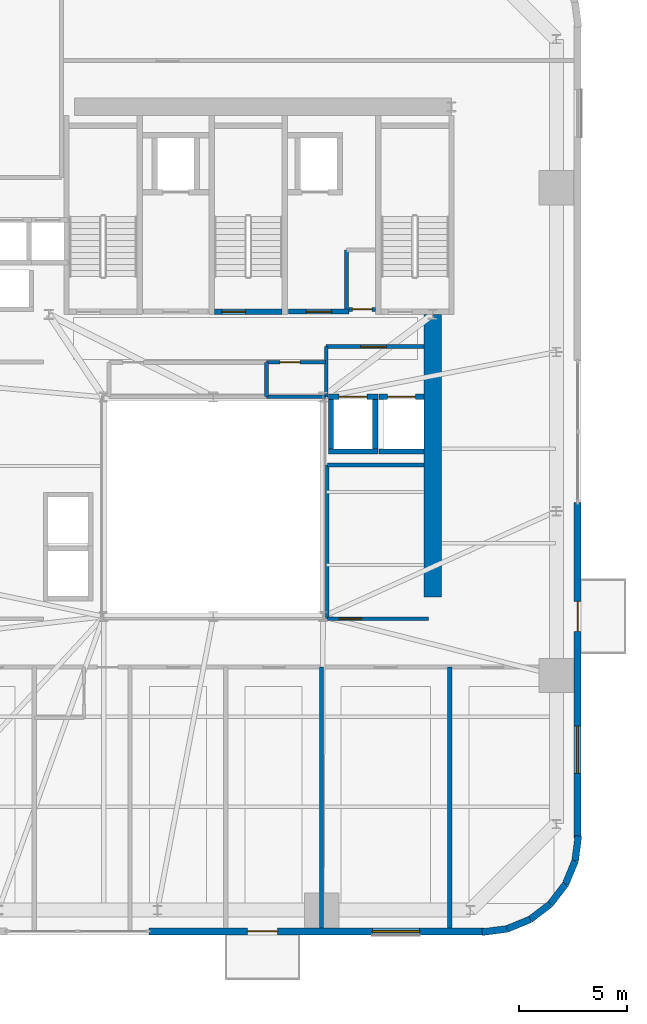
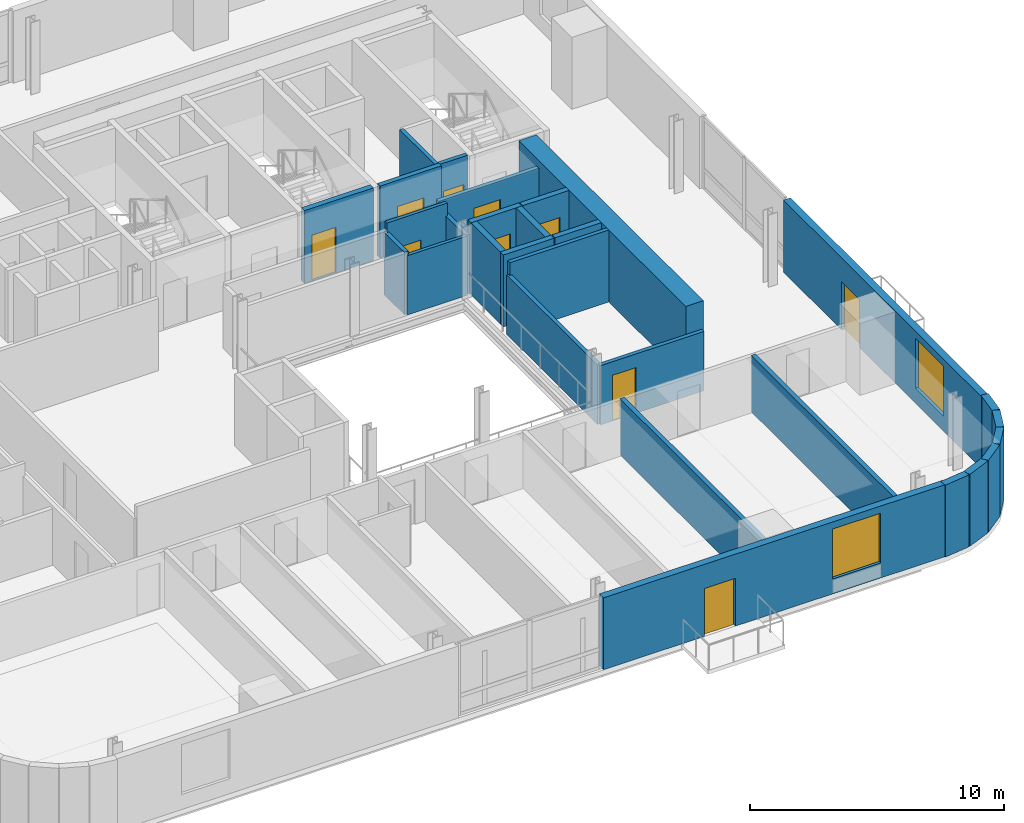
# One storey, part 7 of 14: 29 walls, 10 doors, 2 windows, 12 openings.
"""IFC4 building model written with IfcOpenShell, lengths in metres."""

from ifc_helpers import new_model, si_unit, direction, frame, frame_2d, origin, place, context, subcontext, project, spatial, rectangle, extrude, source, transform, mapped, material, layer, layer_set, type_object, element, fill, save


model = new_model("IFC4")

# Units and contexts
model_context = context("Model", 3, precision=1e-05, world=origin(), true_north=direction((0.0, 1.0)))
body_context = subcontext(model_context, "Body", "Model", "MODEL_VIEW")
ifc_project = project(units=[si_unit("LENGTHUNIT", "METRE"), si_unit("AREAUNIT", "SQUARE_METRE"), si_unit("VOLUMEUNIT", "CUBIC_METRE"), si_unit("PLANEANGLEUNIT", "RADIAN"), si_unit("MASSUNIT", "GRAM", prefix="KILO")], contexts=[model_context])

# Site, building, storey
site_placement = place(None, origin())
site = spatial("IfcSite", under=ifc_project, at=site_placement, CompositionType="ELEMENT")
building_placement = place(site_placement, origin())
building = spatial("IfcBuilding", under=site, at=building_placement, Name="Vardaveli Station Tower", CompositionType="ELEMENT")
storey_placement = place(building_placement, frame((0.0, 0.0, 129.800048828125)))
storey = spatial("IfcBuildingStorey", under=building, at=storey_placement, Name="L33", CompositionType="ELEMENT", Elevation=129.800048828125)

# Wall
ifc_material_1 = material(Name="Concrete C50/60", Category="concrete")
ifc_layer_1 = layer(ifc_material_1, 0.800048828125, Name="Concrete C50/60")
ifc_layer_set_1 = layer_set([ifc_layer_1], Name="Concrete C50/60")
wall_type_1 = type_object("IfcWallType", Name="WAL-CORE-800", PredefinedType="SHEAR", material=ifc_layer_set_1)
shared_shape_1 = source(origin(), body_context, "Body", "SweptSolid", [
    extrude(rectangle(XDim=13.14990234375, YDim=0.800048828125, at=frame_2d((6.574951171875, 0.0))), origin(), (0.0, 0.0, 1.0), 3.4599609375),
])
wall_1_placement = place(storey_placement, frame((46.5, 17.5, 0.0), z_axis=(0.0, 0.0, 1.0), x_axis=(0.0, 1.0, 0.0)))
element("IfcWall", 1, at=wall_1_placement, inside=storey, type_object=wall_type_1, Name="SW-L33-EAST2", PredefinedType="SHEAR", context=body_context, shape_type="MappedRepresentation", body=[
    mapped(shared_shape_1, transform((0.0, 0.0, 0.0), scale=1.0)),
])

# Wall, openings, door, window
ifc_material_2 = material(Name="Precast concrete C45/55", Category="concrete")
ifc_layer_2 = layer(ifc_material_2, 0.320068359375, Name="Precast concrete C45/55")
ifc_layer_set_2 = layer_set([ifc_layer_2], Name="Precast concrete C45/55")
wall_type_2 = type_object("IfcWallType", Name="WAL-EXT-STONE-320", PredefinedType="SOLIDWALL", material=ifc_layer_set_2)
shared_shape_2 = source(origin(), body_context, "Body", "SweptSolid", [
    extrude(rectangle(XDim=15.599853515625, YDim=0.320068359375, at=frame_2d((7.7998046875, 0.0))), origin(), (0.0, 0.0, 1.0), 3.4599609375),
])
wall_2_placement = place(storey_placement, frame((33.300048828125, 1.9599609375, 0.0), z_axis=(0.0, 0.0, 1.0), x_axis=(1.0, 0.0, 0.0)))
wall_2 = element("IfcWall", 2, at=wall_2_placement, inside=storey, type_object=wall_type_2, Name="EW-L33-S2", PredefinedType="SOLIDWALL", context=body_context, shape_type="MappedRepresentation", body=[
    mapped(shared_shape_2, transform((0.0, 0.0, 0.0), scale=1.0)),
])
shared_shape_3 = source(origin(), body_context, "Body", "SweptSolid", [
    extrude(rectangle(XDim=1.39990234375, YDim=2.300048828125, at=frame_2d((0.699951171875, 1.14990234375))), frame((0.0, 0.169921875, 0.0), z_axis=(0.0, -1.0, 0.0), x_axis=(1.0, 0.0, 0.0)), (0.0, 0.0, 1.0), 0.340087890625),
])
opening_1_placement = place(wall_2_placement, frame((4.589599609375, 0.0, 0.0)))
opening_1 = element("IfcOpeningElement", 3, at=opening_1_placement, cuts=wall_2, Name="Opening D-09", PredefinedType="OPENING", context=body_context, shape_type="MappedRepresentation", body=[
    mapped(shared_shape_3, transform((0.0, 0.0, 0.0), scale=1.0)),
])
shared_shape_4 = source(origin(), body_context, "Body", "SweptSolid", [
    extrude(rectangle(XDim=2.199951171875, YDim=2.39990234375, at=frame_2d((1.10009765625, 1.199951171875))), frame((0.0, 0.169921875, 0.0), z_axis=(0.0, -1.0, 0.0), x_axis=(1.0, 0.0, 0.0)), (0.0, 0.0, 1.0), 0.340087890625),
])
opening_2_placement = place(wall_2_placement, frame((10.39501953125, 0.0, 0.719970703125)))
opening_2 = element("IfcOpeningElement", 4, at=opening_2_placement, cuts=wall_2, Name="Opening W-03", PredefinedType="OPENING", context=body_context, shape_type="MappedRepresentation", body=[
    mapped(shared_shape_4, transform((0.0, 0.0, 0.0), scale=1.0)),
])
ifc_material_3 = material(Name="Thermally broken aluminium glass", Category="aluminium")
door_type_1 = type_object("IfcDoorType", Name="DR-LOG-1400x2300", OperationType="DOUBLE_DOOR_SLIDING", PredefinedType="DOOR", material=ifc_material_3)
shared_shape_5 = source(origin(), body_context, "Body", "SweptSolid", [
    extrude(rectangle(XDim=1.39990234375, YDim=2.300048828125, at=frame_2d((0.699951171875, 1.14990234375))), frame((0.0, 0.02490234375, 0.0), z_axis=(0.0, -1.0, 0.0), x_axis=(1.0, 0.0, 0.0)), (0.0, 0.0, 1.0), 0.050048828125),
])
door_1_placement = place(opening_1_placement, frame((1.39990234375, 0.0, 0.0), z_axis=(0.0, 0.0, 1.0), x_axis=(-1.0, 0.0, 0.0)))
door_1 = element("IfcDoor", 5, at=door_1_placement, inside=storey, type_object=door_type_1, Name="DLG-L33-S", OperationType="DOUBLE_DOOR_SLIDING", OverallHeight=2.300048828125, OverallWidth=1.39990234375, PredefinedType="DOOR", context=body_context, shape_type="MappedRepresentation", body=[
    mapped(shared_shape_5, transform((0.0, 0.0, 0.0), scale=1.0)),
])
fill(opening_1, door_1)
ifc_material_4 = material(Name="Low-E solar-control glass", Category="glass")
window_type = type_object("IfcWindowType", Name="WIN-LOG-2200x2400", PartitioningType="SINGLE_PANEL", PredefinedType="WINDOW", material=ifc_material_4)
shared_shape_6 = source(origin(), body_context, "Body", "SweptSolid", [
    extrude(rectangle(XDim=2.199951171875, YDim=2.39990234375, at=frame_2d((1.10009765625, 1.199951171875))), frame((0.0, 0.030029296875, 0.0), z_axis=(0.0, -1.0, 0.0), x_axis=(1.0, 0.0, 0.0)), (0.0, 0.0, 1.0), 0.06005859375),
])
window_1_placement = place(opening_2_placement, origin())
window_1 = element("IfcWindow", 6, at=window_1_placement, inside=storey, type_object=window_type, Name="WN-L33-S2", OverallHeight=2.39990234375, OverallWidth=2.199951171875, PartitioningType="SINGLE_PANEL", PredefinedType="WINDOW", context=body_context, shape_type="MappedRepresentation", body=[
    mapped(shared_shape_6, transform((0.0, 0.0, 0.0), scale=1.0)),
])
fill(opening_2, window_1)

wall_3_placement = place(storey_placement, frame((53.239990234375, 6.300048828125, 0.0), z_axis=(0.0, 0.0, 1.0), x_axis=(0.0, 1.0, 0.0)))
wall_3 = element("IfcWall", 7, at=wall_3_placement, inside=storey, type_object=wall_type_2, Name="EW-L33-E1", PredefinedType="SOLIDWALL", context=body_context, shape_type="MappedRepresentation", body=[
    mapped(shared_shape_2, transform((0.0, 0.0, 0.0), scale=1.0)),
])
opening_3_placement = place(wall_3_placement, frame((9.6103515625, 0.0, 0.0)))
opening_3 = element("IfcOpeningElement", 8, at=opening_3_placement, cuts=wall_3, Name="Opening D-09", PredefinedType="OPENING", context=body_context, shape_type="MappedRepresentation", body=[
    mapped(shared_shape_3, transform((0.0, 0.0, 0.0), scale=1.0)),
])
opening_4_placement = place(wall_3_placement, frame((3.0048828125, 0.0, 0.719970703125)))
opening_4 = element("IfcOpeningElement", 9, at=opening_4_placement, cuts=wall_3, Name="Opening W-03", PredefinedType="OPENING", context=body_context, shape_type="MappedRepresentation", body=[
    mapped(shared_shape_4, transform((0.0, 0.0, 0.0), scale=1.0)),
])
door_2_placement = place(opening_3_placement, frame((1.39990234375, 0.0, 0.0), z_axis=(0.0, 0.0, 1.0), x_axis=(-1.0, 0.0, 0.0)))
door_2 = element("IfcDoor", 10, at=door_2_placement, inside=storey, type_object=door_type_1, Name="DLG-L33-E", OperationType="DOUBLE_DOOR_SLIDING", OverallHeight=2.300048828125, OverallWidth=1.39990234375, PredefinedType="DOOR", context=body_context, shape_type="MappedRepresentation", body=[
    mapped(shared_shape_5, transform((0.0, 0.0, 0.0), scale=1.0)),
])
fill(opening_3, door_2)
window_2_placement = place(opening_4_placement, origin())
window_2 = element("IfcWindow", 11, at=window_2_placement, inside=storey, type_object=window_type, Name="WN-L33-E1", OverallHeight=2.39990234375, OverallWidth=2.199951171875, PartitioningType="SINGLE_PANEL", PredefinedType="WINDOW", context=body_context, shape_type="MappedRepresentation", body=[
    mapped(shared_shape_6, transform((0.0, 0.0, 0.0), scale=1.0)),
])
fill(opening_4, window_2)

# Walls
shared_shape_7 = source(origin(), body_context, "Body", "SweptSolid", [
    extrude(rectangle(XDim=1.170654296875, YDim=0.320068359375, at=frame_2d((0.58544921875, 0.0))), origin(), (0.0, 0.0, 1.0), 3.4599609375),
])
wall_4_placement = place(storey_placement, frame((53.12548828125, 5.23974609375, 0.0), z_axis=(0.0, 0.0, 1.0), x_axis=(0.128269133229, 0.991739395941, 0.0)))
element("IfcWall", 12, at=wall_4_placement, inside=storey, type_object=wall_type_2, Name="EW-L33-CR2-6", PredefinedType="SOLIDWALL", context=body_context, shape_type="MappedRepresentation", body=[
    mapped(shared_shape_7, transform((0.0, 0.0, 0.0), scale=1.0)),
])
shared_shape_8 = source(origin(), body_context, "Body", "SweptSolid", [
    extrude(rectangle(XDim=1.1689453125, YDim=0.320068359375, at=frame_2d((0.58447265625, 0.0))), origin(), (0.0, 0.0, 1.0), 3.4599609375),
])
for number, where, z_axis, x_axis, name in (
    (13, (51.96875, 3.231201171875, 0.0), (0.0, 0.0, 1.0), (0.608387696831, 0.793639975269, 0.0), "EW-L33-CR2-4"),
    (14, (52.679931640625, 4.158935546875, 0.0), (0.0, 0.0, 1.0), (0.381127904695, 0.924522320046, 0.0), "EW-L33-CR2-5"),
):
    element("IfcWall", number, at=place(storey_placement, frame(where, z_axis=z_axis, x_axis=x_axis)), inside=storey, type_object=wall_type_2, Name=name, PredefinedType="SOLIDWALL", context=body_context, shape_type="MappedRepresentation", body=[
        mapped(shared_shape_8, transform((0.0, 0.0, 0.0), scale=1.0)),
    ])
shared_shape_9 = source(origin(), body_context, "Body", "SweptSolid", [
    extrude(rectangle(XDim=1.168701171875, YDim=0.320068359375, at=frame_2d((0.58447265625, 0.0))), origin(), (0.0, 0.0, 1.0), 3.4599609375),
])
wall_5_placement = place(storey_placement, frame((51.041259765625, 2.520263671875, 0.0), z_axis=(0.0, 0.0, 1.0), x_axis=(0.793663520347, 0.608356981114, 0.0)))
element("IfcWall", 15, at=wall_5_placement, inside=storey, type_object=wall_type_2, Name="EW-L33-CR2-3", PredefinedType="SOLIDWALL", context=body_context, shape_type="MappedRepresentation", body=[
    mapped(shared_shape_9, transform((0.0, 0.0, 0.0), scale=1.0)),
])
shared_shape_10 = source(origin(), body_context, "Body", "SweptSolid", [
    extrude(rectangle(XDim=1.16943359375, YDim=0.320068359375, at=frame_2d((0.584716796875, 0.0))), origin(), (0.0, 0.0, 1.0), 3.4599609375),
])
wall_6_placement = place(storey_placement, frame((49.960205078125, 2.074462890625, 0.0), z_axis=(0.0, 0.0, 1.0), x_axis=(0.924479075121, 0.381232789334, 0.0)))
element("IfcWall", 16, at=wall_6_placement, inside=storey, type_object=wall_type_2, Name="EW-L33-CR2-2", PredefinedType="SOLIDWALL", context=body_context, shape_type="MappedRepresentation", body=[
    mapped(shared_shape_10, transform((0.0, 0.0, 0.0), scale=1.0)),
])
shared_shape_11 = source(origin(), body_context, "Body", "SweptSolid", [
    extrude(rectangle(XDim=1.170166015625, YDim=0.320068359375, at=frame_2d((0.5849609375, 0.0))), origin(), (0.0, 0.0, 1.0), 3.4599609375),
])
wall_7_placement = place(storey_placement, frame((48.799560546875, 1.924560546875, 0.0), z_axis=(0.0, 0.0, 1.0), x_axis=(0.991762485493, 0.128090485085, 0.0)))
element("IfcWall", 17, at=wall_7_placement, inside=storey, type_object=wall_type_2, Name="EW-L33-CR2-1", PredefinedType="SOLIDWALL", context=body_context, shape_type="MappedRepresentation", body=[
    mapped(shared_shape_11, transform((0.0, 0.0, 0.0), scale=1.0)),
])

# Wall, opening, door
ifc_material_5 = material(Name="Concrete C40/50", Category="concrete")
ifc_layer_3 = layer(ifc_material_5, 0.25, Name="Concrete C40/50")
ifc_layer_set_3 = layer_set([ifc_layer_3], Name="Concrete C40/50")
wall_type_3 = type_object("IfcWallType", Name="WAL-SHAFT-250", PredefinedType="SOLIDWALL", material=ifc_layer_set_3)
shared_shape_12 = source(origin(), body_context, "Body", "SweptSolid", [
    extrude(rectangle(XDim=3.14990234375, YDim=0.25, at=frame_2d((1.574951171875, 0.0))), origin(), (0.0, 0.0, 1.0), 3.5),
])
wall_8_placement = place(storey_placement, frame((36.35009765625, 30.77490234375, 0.0), z_axis=(0.0, 0.0, 1.0), x_axis=(1.0, 0.0, 0.0)))
wall_8 = element("IfcWall", 18, at=wall_8_placement, inside=storey, type_object=wall_type_3, Name="W-L33-ST-2S", PredefinedType="SOLIDWALL", context=body_context, shape_type="MappedRepresentation", body=[
    mapped(shared_shape_12, transform((0.0, 0.0, 0.0), scale=1.0)),
])
shared_shape_13 = source(origin(), body_context, "Body", "SweptSolid", [
    extrude(rectangle(XDim=1.10009765625, YDim=2.199951171875, at=frame_2d((0.550048828125, 1.10009765625))), frame((0.0, 0.135009765625, 0.0), z_axis=(0.0, -1.0, 0.0), x_axis=(1.0, 0.0, 0.0)), (0.0, 0.0, 1.0), 0.27001953125),
])
opening_5_placement = place(wall_8_placement, frame((0.35009765625, 0.0, 0.0)))
opening_5 = element("IfcOpeningElement", 19, at=opening_5_placement, cuts=wall_8, Name="Opening D-04", PredefinedType="OPENING", context=body_context, shape_type="MappedRepresentation", body=[
    mapped(shared_shape_13, transform((0.0, 0.0, 0.0), scale=1.0)),
])
ifc_material_6 = material(Name="Steel smokeproof fire doorset", Category="steel")
door_type_2 = type_object("IfcDoorType", Name="DR-ST-1100x2200", OperationType="NOTDEFINED", PredefinedType="DOOR", material=ifc_material_6)
shared_shape_14 = source(origin(), body_context, "Body", "SweptSolid", [
    extrude(rectangle(XDim=1.10009765625, YDim=2.199951171875, at=frame_2d((0.550048828125, 1.10009765625))), frame((0.0, 0.02490234375, 0.0), z_axis=(0.0, -1.0, 0.0), x_axis=(1.0, 0.0, 0.0)), (0.0, 0.0, 1.0), 0.050048828125),
])
door_3_placement = place(opening_5_placement, origin())
door_3 = element("IfcDoor", 20, at=door_3_placement, inside=storey, type_object=door_type_2, Name="DST-2-L33", OperationType="SINGLE_SWING_LEFT", OverallHeight=2.199951171875, OverallWidth=1.10009765625, PredefinedType="DOOR", context=body_context, shape_type="MappedRepresentation", body=[
    mapped(shared_shape_14, transform((0.0, 0.0, 0.0), scale=1.0)),
])
fill(opening_5, door_3)

ifc_layer_4 = layer(ifc_material_5, 0.219970703125, Name="Concrete C40/50")
ifc_layer_set_4 = layer_set([ifc_layer_4], Name="Concrete C40/50")
wall_type_4 = type_object("IfcWallType", Name="WAL-FFLOBBY-220", PredefinedType="SOLIDWALL", material=ifc_layer_set_4)
shared_shape_15 = source(origin(), body_context, "Body", "SweptSolid", [
    extrude(rectangle(XDim=2.800048828125, YDim=0.219970703125, at=frame_2d((1.39990234375, 0.0))), origin(), (0.0, 0.0, 1.0), 3.4599609375),
])
wall_9_placement = place(storey_placement, frame((39.800048828125, 30.780029296875, 0.0), z_axis=(0.0, 0.0, 1.0), x_axis=(1.0, 0.0, 0.0)))
wall_9 = element("IfcWall", 21, at=wall_9_placement, inside=storey, type_object=wall_type_4, Name="W-L33-FFL2S", PredefinedType="SOLIDWALL", context=body_context, shape_type="MappedRepresentation", body=[
    mapped(shared_shape_15, transform((0.0, 0.0, 0.0), scale=1.0)),
])
shared_shape_16 = source(origin(), body_context, "Body", "SweptSolid", [
    extrude(rectangle(XDim=1.199951171875, YDim=2.199951171875, at=frame_2d((0.60009765625, 1.10009765625))), frame((0.0, 0.1201171875, 0.0), z_axis=(0.0, -1.0, 0.0), x_axis=(1.0, 0.0, 0.0)), (0.0, 0.0, 1.0), 0.239990234375),
])
opening_6_placement = place(wall_9_placement, frame((0.800048828125, 0.0, 0.0)))
opening_6 = element("IfcOpeningElement", 22, at=opening_6_placement, cuts=wall_9, Name="Opening D-03", PredefinedType="OPENING", context=body_context, shape_type="MappedRepresentation", body=[
    mapped(shared_shape_16, transform((0.0, 0.0, 0.0), scale=1.0)),
])
door_type_3 = type_object("IfcDoorType", Name="DR-FFL-1200x2200", OperationType="NOTDEFINED", PredefinedType="DOOR", material=ifc_material_6)
shared_shape_17 = source(origin(), body_context, "Body", "SweptSolid", [
    extrude(rectangle(XDim=1.199951171875, YDim=2.199951171875, at=frame_2d((0.60009765625, 1.10009765625))), frame((0.0, 0.02490234375, 0.0), z_axis=(0.0, -1.0, 0.0), x_axis=(1.0, 0.0, 0.0)), (0.0, 0.0, 1.0), 0.050048828125),
])
door_4_placement = place(opening_6_placement, origin())
door_4 = element("IfcDoor", 23, at=door_4_placement, inside=storey, type_object=door_type_3, Name="DFFL2-L33", OperationType="SINGLE_SWING_RIGHT", OverallHeight=2.199951171875, OverallWidth=1.199951171875, PredefinedType="DOOR", context=body_context, shape_type="MappedRepresentation", body=[
    mapped(shared_shape_17, transform((0.0, 0.0, 0.0), scale=1.0)),
])
fill(opening_6, door_4)

# Wall
shared_shape_18 = source(origin(), body_context, "Body", "SweptSolid", [
    extrude(rectangle(XDim=2.300048828125, YDim=0.25, at=frame_2d((1.14990234375, 0.0))), origin(), (0.0, 0.0, 1.0), 3.4599609375),
])
wall_10_placement = place(storey_placement, frame((41.64990234375, 24.27490234375, 0.0), z_axis=(0.0, 0.0, 1.0), x_axis=(1.0, 0.0, 0.0)))
element("IfcWall", 24, at=wall_10_placement, inside=storey, type_object=wall_type_3, Name="SHW-SRV-01-L33-S", PredefinedType="SOLIDWALL", context=body_context, shape_type="MappedRepresentation", body=[
    mapped(shared_shape_18, transform((0.0, 0.0, 0.0), scale=1.0)),
])

# Wall, opening, door
wall_11_placement = place(storey_placement, frame((41.64990234375, 26.824951171875, 0.0), z_axis=(0.0, 0.0, 1.0), x_axis=(1.0, 0.0, 0.0)))
wall_11 = element("IfcWall", 25, at=wall_11_placement, inside=storey, type_object=wall_type_3, Name="SHW-SRV-01-L33-N", PredefinedType="SOLIDWALL", context=body_context, shape_type="MappedRepresentation", body=[
    mapped(shared_shape_18, transform((0.0, 0.0, 0.0), scale=1.0)),
])
shared_shape_19 = source(origin(), body_context, "Body", "SweptSolid", [
    extrude(rectangle(XDim=1.300048828125, YDim=2.300048828125, at=frame_2d((0.64990234375, 1.14990234375))), frame((0.0, 0.135009765625, 0.0), z_axis=(0.0, -1.0, 0.0), x_axis=(1.0, 0.0, 0.0)), (0.0, 0.0, 1.0), 0.27001953125),
])
opening_7_placement = place(wall_11_placement, frame((0.5, 0.0, 0.0)))
opening_7 = element("IfcOpeningElement", 26, at=opening_7_placement, cuts=wall_11, Name="Opening LD-03", PredefinedType="OPENING", context=body_context, shape_type="MappedRepresentation", body=[
    mapped(shared_shape_19, transform((0.0, 0.0, 0.0), scale=1.0)),
])
ifc_material_7 = material(Name="Brushed stainless steel", Category="steel")
door_type_4 = type_object("IfcDoorType", Name="DR-LD-1300x2300", OperationType="DOUBLE_DOOR_SLIDING", PredefinedType="DOOR", material=ifc_material_7)
shared_shape_20 = source(origin(), body_context, "Body", "SweptSolid", [
    extrude(rectangle(XDim=1.300048828125, YDim=2.300048828125, at=frame_2d((0.64990234375, 1.14990234375))), frame((0.0, 0.02490234375, 0.0), z_axis=(0.0, -1.0, 0.0), x_axis=(1.0, 0.0, 0.0)), (0.0, 0.0, 1.0), 0.050048828125),
])
door_5_placement = place(opening_7_placement, origin())
door_5 = element("IfcDoor", 27, at=door_5_placement, inside=storey, type_object=door_type_4, Name="LD-SRV-01-L33", OperationType="DOUBLE_DOOR_SLIDING", OverallHeight=2.300048828125, OverallWidth=1.300048828125, PredefinedType="DOOR", context=body_context, shape_type="MappedRepresentation", body=[
    mapped(shared_shape_20, transform((0.0, 0.0, 0.0), scale=1.0)),
])
fill(opening_7, door_5)

# Walls
for number, where, z_axis, x_axis, name in (
    (28, (41.77490234375, 24.39990234375, 0.0), (0.0, 0.0, 1.0), (0.0, 1.0, 0.0), "SHW-SRV-01-L33-W"),
    (29, (43.824951171875, 24.39990234375, 0.0), (0.0, 0.0, 1.0), (0.0, 1.0, 0.0), "SHW-SRV-01-L33-E"),
):
    element("IfcWall", number, at=place(storey_placement, frame(where, z_axis=z_axis, x_axis=x_axis)), inside=storey, type_object=wall_type_3, Name=name, PredefinedType="SOLIDWALL", context=body_context, shape_type="MappedRepresentation", body=[
        mapped(shared_shape_18, transform((0.0, 0.0, 0.0), scale=1.0)),
    ])
shared_shape_21 = source(origin(), body_context, "Body", "SweptSolid", [
    extrude(rectangle(XDim=2.10009765625, YDim=0.25, at=frame_2d((1.050048828125, 0.0))), origin(), (0.0, 0.0, 1.0), 3.4599609375),
])
wall_12_placement = place(storey_placement, frame((44.0, 24.27490234375, 0.0), z_axis=(0.0, 0.0, 1.0), x_axis=(1.0, 0.0, 0.0)))
element("IfcWall", 30, at=wall_12_placement, inside=storey, type_object=wall_type_3, Name="SHW-SRV-02-L33-S", PredefinedType="SOLIDWALL", context=body_context, shape_type="MappedRepresentation", body=[
    mapped(shared_shape_21, transform((0.0, 0.0, 0.0), scale=1.0)),
])

# Wall, opening, door
wall_13_placement = place(storey_placement, frame((44.0, 26.824951171875, 0.0), z_axis=(0.0, 0.0, 1.0), x_axis=(1.0, 0.0, 0.0)))
wall_13 = element("IfcWall", 31, at=wall_13_placement, inside=storey, type_object=wall_type_3, Name="SHW-SRV-02-L33-N", PredefinedType="SOLIDWALL", context=body_context, shape_type="MappedRepresentation", body=[
    mapped(shared_shape_21, transform((0.0, 0.0, 0.0), scale=1.0)),
])
opening_8_placement = place(wall_13_placement, frame((0.39990234375, 0.0, 0.0)))
opening_8 = element("IfcOpeningElement", 32, at=opening_8_placement, cuts=wall_13, Name="Opening LD-03", PredefinedType="OPENING", context=body_context, shape_type="MappedRepresentation", body=[
    mapped(shared_shape_19, transform((0.0, 0.0, 0.0), scale=1.0)),
])
door_6_placement = place(opening_8_placement, origin())
door_6 = element("IfcDoor", 33, at=door_6_placement, inside=storey, type_object=door_type_4, Name="LD-SRV-02-L33", OperationType="DOUBLE_DOOR_SLIDING", OverallHeight=2.300048828125, OverallWidth=1.300048828125, PredefinedType="DOOR", context=body_context, shape_type="MappedRepresentation", body=[
    mapped(shared_shape_20, transform((0.0, 0.0, 0.0), scale=1.0)),
])
fill(opening_8, door_6)

ifc_material_8 = material(Name="Fire-rated gypsum stud partition")
ifc_layer_5 = layer(ifc_material_8, 0.179931640625, Name="Fire-rated gypsum stud partition")
ifc_layer_set_5 = layer_set([ifc_layer_5], Name="Fire-rated gypsum stud partition")
wall_type_5 = type_object("IfcWallType", Name="WAL-CORR-180", PredefinedType="PARTITIONING", material=ifc_layer_set_5)
shared_shape_22 = source(origin(), body_context, "Body", "SweptSolid", [
    extrude(rectangle(XDim=4.5478515625, YDim=0.179931640625, at=frame_2d((2.27392578125, 0.0))), origin(), (0.0, 0.0, 1.0), 3.092041015625),
])
wall_14_placement = place(storey_placement, frame((41.550048828125, 29.14990234375, 0.0), z_axis=(0.0, 0.0, 1.0), x_axis=(1.0, 0.0, 0.0)))
wall_14 = element("IfcWall", 34, at=wall_14_placement, inside=storey, type_object=wall_type_5, Name="W-L33-SVFN", PredefinedType="PARTITIONING", context=body_context, shape_type="MappedRepresentation", body=[
    mapped(shared_shape_22, transform((0.0, 0.0, 0.0), scale=1.0)),
])
shared_shape_23 = source(origin(), body_context, "Body", "SweptSolid", [
    extrude(rectangle(XDim=1.199951171875, YDim=2.199951171875, at=frame_2d((0.60009765625, 1.10009765625))), frame((0.0, 0.10009765625, 0.0), z_axis=(0.0, -1.0, 0.0), x_axis=(1.0, 0.0, 0.0)), (0.0, 0.0, 1.0), 0.199951171875),
])
opening_9_placement = place(wall_14_placement, frame((1.60009765625, 0.0, 0.0)))
opening_9 = element("IfcOpeningElement", 35, at=opening_9_placement, cuts=wall_14, Name="Opening D-03", PredefinedType="OPENING", context=body_context, shape_type="MappedRepresentation", body=[
    mapped(shared_shape_23, transform((0.0, 0.0, 0.0), scale=1.0)),
])
door_7_placement = place(opening_9_placement, origin())
door_7 = element("IfcDoor", 36, at=door_7_placement, inside=storey, type_object=door_type_3, Name="D-L33-SVF", OperationType="SINGLE_SWING_RIGHT", OverallHeight=2.199951171875, OverallWidth=1.199951171875, PredefinedType="DOOR", context=body_context, shape_type="MappedRepresentation", body=[
    mapped(shared_shape_17, transform((0.0, 0.0, 0.0), scale=1.0)),
])
fill(opening_9, door_7)

shared_shape_24 = source(origin(), body_context, "Body", "SweptSolid", [
    extrude(rectangle(XDim=4.699951171875, YDim=0.179931640625, at=frame_2d((2.35009765625, 0.0))), origin(), (0.0, 0.0, 1.0), 2.85205078125),
])
wall_15_placement = place(storey_placement, frame((41.60009765625, 16.5, 0.0), z_axis=(0.0, 0.0, 1.0), x_axis=(1.0, 0.0, 0.0)))
wall_15 = element("IfcWall", 37, at=wall_15_placement, inside=storey, type_object=wall_type_5, Name="W-L33-ATE-S", PredefinedType="PARTITIONING", context=body_context, shape_type="MappedRepresentation", body=[
    mapped(shared_shape_24, transform((0.0, 0.0, 0.0), scale=1.0)),
])
shared_shape_25 = source(origin(), body_context, "Body", "SweptSolid", [
    extrude(rectangle(XDim=1.050048828125, YDim=2.199951171875, at=frame_2d((0.52490234375, 1.10009765625))), frame((0.0, 0.10009765625, 0.0), z_axis=(0.0, -1.0, 0.0), x_axis=(1.0, 0.0, 0.0)), (0.0, 0.0, 1.0), 0.199951171875),
])
opening_10_placement = place(wall_15_placement, frame((0.550048828125, 0.0, 0.0)))
opening_10 = element("IfcOpeningElement", 38, at=opening_10_placement, cuts=wall_15, Name="Opening D-05", PredefinedType="OPENING", context=body_context, shape_type="MappedRepresentation", body=[
    mapped(shared_shape_25, transform((0.0, 0.0, 0.0), scale=1.0)),
])
ifc_material_9 = material(Name="Walnut veneer acoustic fire door")
door_type_5 = type_object("IfcDoorType", Name="DR-SUITE-1050x2200", OperationType="NOTDEFINED", PredefinedType="DOOR", material=ifc_material_9)
shared_shape_26 = source(origin(), body_context, "Body", "SweptSolid", [
    extrude(rectangle(XDim=1.050048828125, YDim=2.199951171875, at=frame_2d((0.52490234375, 1.10009765625))), frame((0.0, 0.02490234375, 0.0), z_axis=(0.0, -1.0, 0.0), x_axis=(1.0, 0.0, 0.0)), (0.0, 0.0, 1.0), 0.050048828125),
])
door_8_placement = place(opening_10_placement, origin())
door_8 = element("IfcDoor", 39, at=door_8_placement, inside=storey, type_object=door_type_5, Name="D-L33-ATE1", OperationType="SINGLE_SWING_RIGHT", OverallHeight=2.199951171875, OverallWidth=1.050048828125, PredefinedType="DOOR", context=body_context, shape_type="MappedRepresentation", body=[
    mapped(shared_shape_26, transform((0.0, 0.0, 0.0), scale=1.0)),
])
fill(opening_10, door_8)

# Walls
shared_shape_27 = source(origin(), body_context, "Body", "SweptSolid", [
    extrude(rectangle(XDim=7.14990234375, YDim=0.179931640625, at=frame_2d((3.574951171875, 0.0))), origin(), (0.0, 0.0, 1.0), 2.85205078125),
])
wall_16_placement = place(storey_placement, frame((41.60009765625, 16.5, 0.0), z_axis=(0.0, 0.0, 1.0), x_axis=(0.0, 1.0, 0.0)))
element("IfcWall", 40, at=wall_16_placement, inside=storey, type_object=wall_type_5, Name="W-L33-ATE-W", PredefinedType="PARTITIONING", context=body_context, shape_type="MappedRepresentation", body=[
    mapped(shared_shape_27, transform((0.0, 0.0, 0.0), scale=1.0)),
])
shared_shape_28 = source(origin(), body_context, "Body", "SweptSolid", [
    extrude(rectangle(XDim=4.497802734375, YDim=0.179931640625, at=frame_2d((2.2490234375, 0.0))), origin(), (0.0, 0.0, 1.0), 3.4599609375),
])
wall_17_placement = place(storey_placement, frame((41.60009765625, 23.64990234375, 0.0), z_axis=(0.0, 0.0, 1.0), x_axis=(1.0, 0.0, 0.0)))
element("IfcWall", 41, at=wall_17_placement, inside=storey, type_object=wall_type_5, Name="W-L33-ATE-N", PredefinedType="PARTITIONING", context=body_context, shape_type="MappedRepresentation", body=[
    mapped(shared_shape_28, transform((0.0, 0.0, 0.0), scale=1.0)),
])
shared_shape_29 = source(origin(), body_context, "Body", "SweptSolid", [
    extrude(rectangle(XDim=2.349853515625, YDim=0.179931640625, at=frame_2d((1.1748046875, 0.0))), origin(), (0.0, 0.0, 1.0), 2.85205078125),
])
wall_18_placement = place(storey_placement, frame((41.550048828125, 26.800048828125, 0.0), z_axis=(0.0, 0.0, 1.0), x_axis=(0.0, 1.0, 0.0)))
element("IfcWall", 42, at=wall_18_placement, inside=storey, type_object=wall_type_5, Name="W-L33-SVFW", PredefinedType="PARTITIONING", context=body_context, shape_type="MappedRepresentation", body=[
    mapped(shared_shape_29, transform((0.0, 0.0, 0.0), scale=1.0)),
])

# Wall, opening, door
shared_shape_30 = source(origin(), body_context, "Body", "SweptSolid", [
    extrude(rectangle(XDim=1.247802734375, YDim=0.179931640625, at=frame_2d((0.6240234375, 0.0))), origin(), (0.0, 0.0, 1.0), 3.4599609375),
])
wall_19_placement = place(storey_placement, frame((42.60009765625, 30.8798828125, 0.0), z_axis=(0.0, 0.0, 1.0), x_axis=(1.0, 0.0, 0.0)))
wall_19 = element("IfcWall", 43, at=wall_19_placement, inside=storey, type_object=wall_type_5, Name="W-L33-CBS0-S", PredefinedType="PARTITIONING", context=body_context, shape_type="MappedRepresentation", body=[
    mapped(shared_shape_30, transform((0.0, 0.0, 0.0), scale=1.0)),
])
shared_shape_31 = source(origin(), body_context, "Body", "SweptSolid", [
    extrude(rectangle(XDim=0.919921875, YDim=2.10009765625, at=frame_2d((0.4599609375, 1.050048828125))), frame((0.0, 0.10009765625, 0.0), z_axis=(0.0, -1.0, 0.0), x_axis=(1.0, 0.0, 0.0)), (0.0, 0.0, 1.0), 0.199951171875),
])
opening_11_placement = place(wall_19_placement, frame((0.1640625, 0.0, 0.0)))
opening_11 = element("IfcOpeningElement", 44, at=opening_11_placement, cuts=wall_19, Name="Opening D-07", PredefinedType="OPENING", context=body_context, shape_type="MappedRepresentation", body=[
    mapped(shared_shape_31, transform((0.0, 0.0, 0.0), scale=1.0)),
])
ifc_material_10 = material(Name="Moisture-resistant hardwood door", Category="wood")
door_type_6 = type_object("IfcDoorType", Name="DR-WC-920x2100", OperationType="NOTDEFINED", PredefinedType="DOOR", material=ifc_material_10)
shared_shape_32 = source(origin(), body_context, "Body", "SweptSolid", [
    extrude(rectangle(XDim=0.919921875, YDim=2.10009765625, at=frame_2d((0.4599609375, 1.050048828125))), frame((0.0, 0.02490234375, 0.0), z_axis=(0.0, -1.0, 0.0), x_axis=(1.0, 0.0, 0.0)), (0.0, 0.0, 1.0), 0.050048828125),
])
door_9_placement = place(opening_11_placement, origin())
door_9 = element("IfcDoor", 45, at=door_9_placement, inside=storey, type_object=door_type_6, Name="D-L33-CBS0", OperationType="SINGLE_SWING_LEFT", OverallHeight=2.10009765625, OverallWidth=0.919921875, PredefinedType="DOOR", context=body_context, shape_type="MappedRepresentation", body=[
    mapped(shared_shape_32, transform((0.0, 0.0, 0.0), scale=1.0)),
])
fill(opening_11, door_9)

# Wall
shared_shape_33 = source(origin(), body_context, "Body", "SweptSolid", [
    extrude(rectangle(XDim=1.599853515625, YDim=0.179931640625, at=frame_2d((0.7998046875, 0.0))), origin(), (0.0, 0.0, 1.0), 3.001953125),
])
wall_20_placement = place(storey_placement, frame((38.780029296875, 26.820068359375, 0.0), z_axis=(0.0, 0.0, 1.0), x_axis=(0.0, 1.0, 0.0)))
element("IfcWall", 46, at=wall_20_placement, inside=storey, type_object=wall_type_5, Name="W-L33-HKP0-E", PredefinedType="PARTITIONING", context=body_context, shape_type="MappedRepresentation", body=[
    mapped(shared_shape_33, transform((0.0, 0.0, 0.0), scale=1.0)),
])

# Wall, opening, door
ifc_material_11 = material(Name="Moisture-resistant stud partition")
ifc_layer_6 = layer(ifc_material_11, 0.14990234375, Name="Moisture-resistant stud partition")
ifc_layer_set_6 = layer_set([ifc_layer_6], Name="Moisture-resistant stud partition")
wall_type_6 = type_object("IfcWallType", Name="WAL-WET-150", PredefinedType="PARTITIONING", material=ifc_layer_set_6)
shared_shape_34 = source(origin(), body_context, "Body", "SweptSolid", [
    extrude(rectangle(XDim=2.739990234375, YDim=0.14990234375, at=frame_2d((1.3701171875, 0.0))), origin(), (0.0, 0.0, 1.0), 3.4599609375),
])
wall_21_placement = place(storey_placement, frame((38.780029296875, 28.419921875, 0.0), z_axis=(0.0, 0.0, 1.0), x_axis=(1.0, 0.0, 0.0)))
wall_21 = element("IfcWall", 47, at=wall_21_placement, inside=storey, type_object=wall_type_6, Name="W-L33-WCA0-N", PredefinedType="PARTITIONING", context=body_context, shape_type="MappedRepresentation", body=[
    mapped(shared_shape_34, transform((0.0, 0.0, 0.0), scale=1.0)),
])
shared_shape_35 = source(origin(), body_context, "Body", "SweptSolid", [
    extrude(rectangle(XDim=0.919921875, YDim=2.10009765625, at=frame_2d((0.4599609375, 1.050048828125))), frame((0.0, 0.0849609375, 0.0), z_axis=(0.0, -1.0, 0.0), x_axis=(1.0, 0.0, 0.0)), (0.0, 0.0, 1.0), 0.169921875),
])
opening_12_placement = place(wall_21_placement, frame((0.6298828125, 0.0, 0.0)))
opening_12 = element("IfcOpeningElement", 48, at=opening_12_placement, cuts=wall_21, Name="Opening D-07", PredefinedType="OPENING", context=body_context, shape_type="MappedRepresentation", body=[
    mapped(shared_shape_35, transform((0.0, 0.0, 0.0), scale=1.0)),
])
door_10_placement = place(opening_12_placement, origin())
door_10 = element("IfcDoor", 49, at=door_10_placement, inside=storey, type_object=door_type_6, Name="D-L33-WCA", OperationType="SINGLE_SWING_RIGHT", OverallHeight=2.10009765625, OverallWidth=0.919921875, PredefinedType="DOOR", context=body_context, shape_type="MappedRepresentation", body=[
    mapped(shared_shape_32, transform((0.0, 0.0, 0.0), scale=1.0)),
])
fill(opening_12, door_10)

# Walls
shared_shape_36 = source(origin(), body_context, "Body", "SweptSolid", [
    extrude(rectangle(XDim=2.7578125, YDim=0.179931640625, at=frame_2d((1.37890625, 0.0))), origin(), (0.0, 0.0, 1.0), 3.4599609375),
])
wall_22_placement = place(storey_placement, frame((42.5, 30.89208984375, 0.0), z_axis=(0.0, 0.0, 1.0), x_axis=(0.0, 1.0, 0.0)))
element("IfcWall", 50, at=wall_22_placement, inside=storey, type_object=wall_type_5, Name="W-L33-CBS0-W", PredefinedType="PARTITIONING", context=body_context, shape_type="MappedRepresentation", body=[
    mapped(shared_shape_36, transform((0.0, 0.0, 0.0), scale=1.0)),
])
shared_shape_37 = source(origin(), body_context, "Body", "SweptSolid", [
    extrude(rectangle(XDim=2.739990234375, YDim=0.14990234375, at=frame_2d((1.3701171875, 0.0))), origin(), (0.0, 0.0, 1.0), 2.85205078125),
])
wall_23_placement = place(storey_placement, frame((38.780029296875, 26.820068359375, 0.0), z_axis=(0.0, 0.0, 1.0), x_axis=(1.0, 0.0, 0.0)))
element("IfcWall", 51, at=wall_23_placement, inside=storey, type_object=wall_type_6, Name="W-L33-WCA0-S", PredefinedType="PARTITIONING", context=body_context, shape_type="MappedRepresentation", body=[
    mapped(shared_shape_37, transform((0.0, 0.0, 0.0), scale=1.0)),
])
ifc_material_12 = material(Name="Acoustic twin-stud gypsum partition")
ifc_layer_7 = layer(ifc_material_12, 0.199951171875, Name="Acoustic twin-stud gypsum partition")
ifc_layer_set_7 = layer_set([ifc_layer_7], Name="Acoustic twin-stud gypsum partition")
wall_type_7 = type_object("IfcWallType", Name="WAL-PARTY-200", PredefinedType="PARTITIONING", material=ifc_layer_set_7)
shared_shape_38 = source(origin(), body_context, "Body", "SweptSolid", [
    extrude(rectangle(XDim=12.1279296875, YDim=0.199951171875, at=frame_2d((6.06396484375, 0.0))), origin(), (0.0, 0.0, 1.0), 2.701904296875),
])
for number, where, z_axis, x_axis, name in (
    (52, (41.3349609375, 2.1220703125, 0.0), (0.0, 0.0, 1.0), (0.0, 1.0, 0.0), "W-L33-PS6"),
    (53, (47.2880859375, 2.1220703125, 0.0), (0.0, 0.0, 1.0), (0.0, 1.0, 0.0), "W-L33-PS7"),
):
    element("IfcWall", number, at=place(storey_placement, frame(where, z_axis=z_axis, x_axis=x_axis)), inside=storey, type_object=wall_type_7, Name=name, PredefinedType="PARTITIONING", context=body_context, shape_type="MappedRepresentation", body=[
        mapped(shared_shape_38, transform((0.0, 0.0, 0.0), scale=1.0)),
    ])

save(model, "model.ifc")
